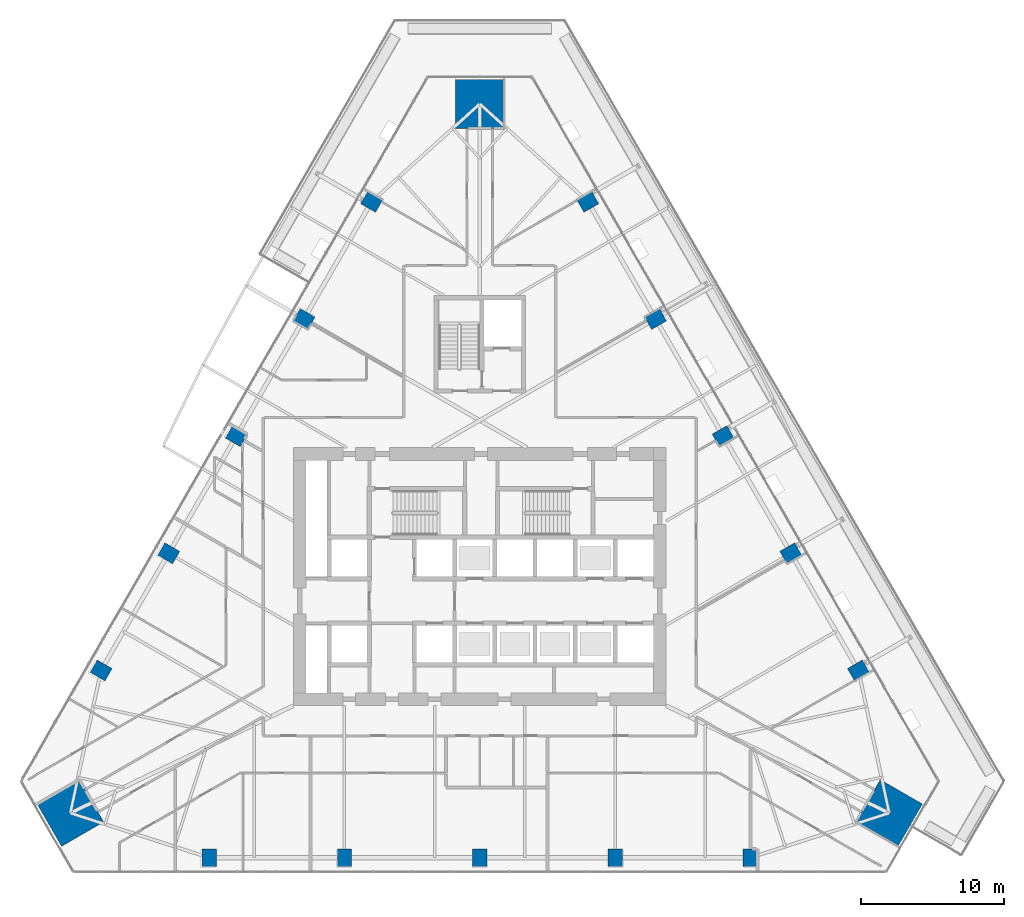
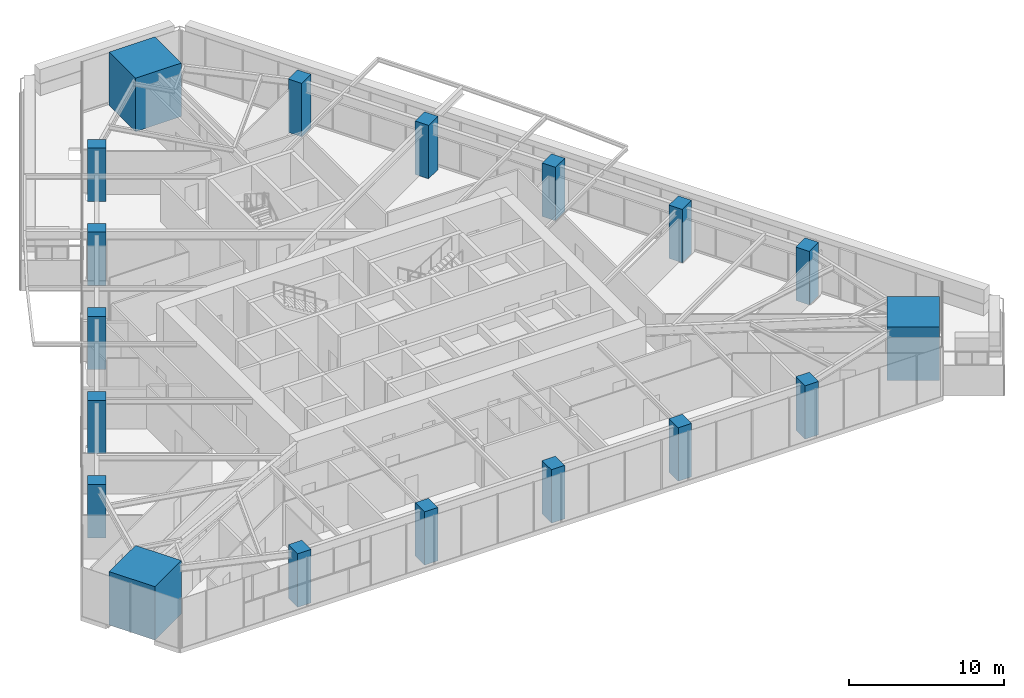
# One storey, part 1 of 29: 18 columns.
"""IFC4 building model written with IfcOpenShell, lengths in metres."""

from ifc_helpers import new_model, si_unit, direction, frame, origin, origin_2d, place, context, subcontext, project, spatial, rectangle, extrude, material, material_profile, profile_set, type_object, element, save


model = new_model("IFC4")

# Units and contexts
model_context = context("Model", 3, precision=1e-05, world=origin(), true_north=direction((0.0, 1.0)))
body_context = subcontext(model_context, "Body", "Model", "MODEL_VIEW")
ifc_project = project(units=[si_unit("LENGTHUNIT", "METRE"), si_unit("AREAUNIT", "SQUARE_METRE"), si_unit("VOLUMEUNIT", "CUBIC_METRE"), si_unit("PLANEANGLEUNIT", "RADIAN"), si_unit("MASSUNIT", "GRAM", prefix="KILO")], contexts=[model_context])

# Site, building, storey
site_placement = place(None, origin())
site = spatial("IfcSite", under=ifc_project, at=site_placement, CompositionType="ELEMENT")
building_placement = place(site_placement, origin())
building = spatial("IfcBuilding", under=site, at=building_placement, Name="Firuza Gate Tower and Library", CompositionType="ELEMENT")
storey_placement = place(building_placement, frame((0.0, 0.0, 82.0)))
storey = spatial("IfcBuildingStorey", under=building, at=storey_placement, Name="L18", CompositionType="ELEMENT", Elevation=82.0)

# Columns
ifc_material_1 = material(Name="Concrete C80/95", Category="concrete")
ifc_material_profile_1 = material_profile(ifc_material_1, rectangle(XDim=3.39990234375, YDim=3.39990234375, at=origin_2d()))
ifc_profile_set_1 = profile_set([ifc_material_profile_1], Name="Concrete C80/95")
column_type_1 = type_object("IfcColumnType", Name="Mega column 3400x3400 C80/95", PredefinedType="COLUMN", material=ifc_profile_set_1)
for number, where, z_axis, x_axis, name in (
    (1, (103.549560546875, 58.516845703125, 0.0), (0.0, 0.0, 1.0), (0.5, 0.866025403784, 0.0), "Mega column SE L18"),
    (2, (75.0, 107.96630859375, 0.0), (0.0, 0.0, 1.0), (-1.0, 0.0, 0.0), "Mega column N L18"),
    (3, (46.450439453125, 58.516845703125, 0.0), (0.0, 0.0, 1.0), (0.5, -0.866025403784, 0.0), "Mega column SW L18"),
):
    element("IfcColumn", number, at=place(storey_placement, frame(where, z_axis=z_axis, x_axis=x_axis)), inside=storey, type_object=column_type_1, Name=name, PredefinedType="COLUMN", context=body_context, shape_type="SweptSolid", body=[
        extrude(rectangle(XDim=3.39990234375, YDim=3.39990234375, at=origin_2d()), origin(), (0.0, 0.0, 1.0), 4.199951171875),
    ])
ifc_material_2 = material(Name="Concrete C60/75", Category="concrete")
ifc_material_profile_2 = material_profile(ifc_material_2, rectangle(XDim=1.0, YDim=1.199951171875, at=origin_2d()))
ifc_profile_set_2 = profile_set([ifc_material_profile_2], Name="Concrete C60/75")
column_type_2 = type_object("IfcColumnType", Name="Perimeter column 1000x1200 C60/75", PredefinedType="COLUMN", material=ifc_profile_set_2)
for number, where, z_axis, x_axis, name in (
    (4, (56.127685546875, 55.399169921875, -0.00048828125), (0.0, 0.0, 1.0), (1.0, 0.0, 0.0), "Column S1 L18"),
    (5, (65.56396484375, 55.399169921875, -0.00048828125), (0.0, 0.0, 1.0), (1.0, 0.0, 0.0), "Column S2 L18"),
    (6, (75.0, 55.399169921875, -0.00048828125), (0.0, 0.0, 1.0), (1.0, 0.0, 0.0), "Column S3 L18"),
    (7, (84.43603515625, 55.399169921875, -0.00048828125), (0.0, 0.0, 1.0), (1.0, 0.0, 0.0), "Column S4 L18"),
    (8, (93.872314453125, 55.399169921875, -0.00048828125), (0.0, 0.0, 1.0), (1.0, 0.0, 0.0), "Column S5 L18"),
    (9, (101.410888671875, 68.45654296875, -0.00048828125), (0.0, 0.0, 1.0), (-0.5, 0.866025403784, 0.0), "Column E1 L18"),
    (10, (96.69287109375, 76.62841796875, -0.00048828125), (0.0, 0.0, 1.0), (-0.5, 0.866025403784, 0.0), "Column E2 L18"),
    (11, (91.974853515625, 84.80029296875, -0.00048828125), (0.0, 0.0, 1.0), (-0.5, 0.866025403784, 0.0), "Column E3 L18"),
    (12, (87.2568359375, 92.972412109375, -0.00048828125), (0.0, 0.0, 1.0), (-0.5, 0.866025403784, 0.0), "Column E4 L18"),
    (13, (82.53857421875, 101.144287109375, -0.00048828125), (0.0, 0.0, 1.0), (-0.5, 0.866025403784, 0.0), "Column E5 L18"),
    (14, (67.46142578125, 101.144287109375, -0.00048828125), (0.0, 0.0, 1.0), (-0.5, -0.866025403784, 0.0), "Column W1 L18"),
    (15, (62.7431640625, 92.972412109375, -0.00048828125), (0.0, 0.0, 1.0), (-0.5, -0.866025403784, 0.0), "Column W2 L18"),
    (16, (58.025146484375, 84.80029296875, -0.00048828125), (0.0, 0.0, 1.0), (-0.5, -0.866025403784, 0.0), "Column W3 L18"),
    (17, (53.30712890625, 76.62841796875, -0.00048828125), (0.0, 0.0, 1.0), (-0.5, -0.866025403784, 0.0), "Column W4 L18"),
    (18, (48.589111328125, 68.45654296875, -0.00048828125), (0.0, 0.0, 1.0), (-0.5, -0.866025403784, 0.0), "Column W5 L18"),
):
    element("IfcColumn", number, at=place(storey_placement, frame(where, z_axis=z_axis, x_axis=x_axis)), inside=storey, type_object=column_type_2, Name=name, PredefinedType="COLUMN", context=body_context, shape_type="SweptSolid", body=[
        extrude(rectangle(XDim=1.0, YDim=1.199951171875, at=origin_2d()), origin(), (0.0, 0.0, 1.0), 4.200439453125),
    ])

save(model, "model.ifc")
